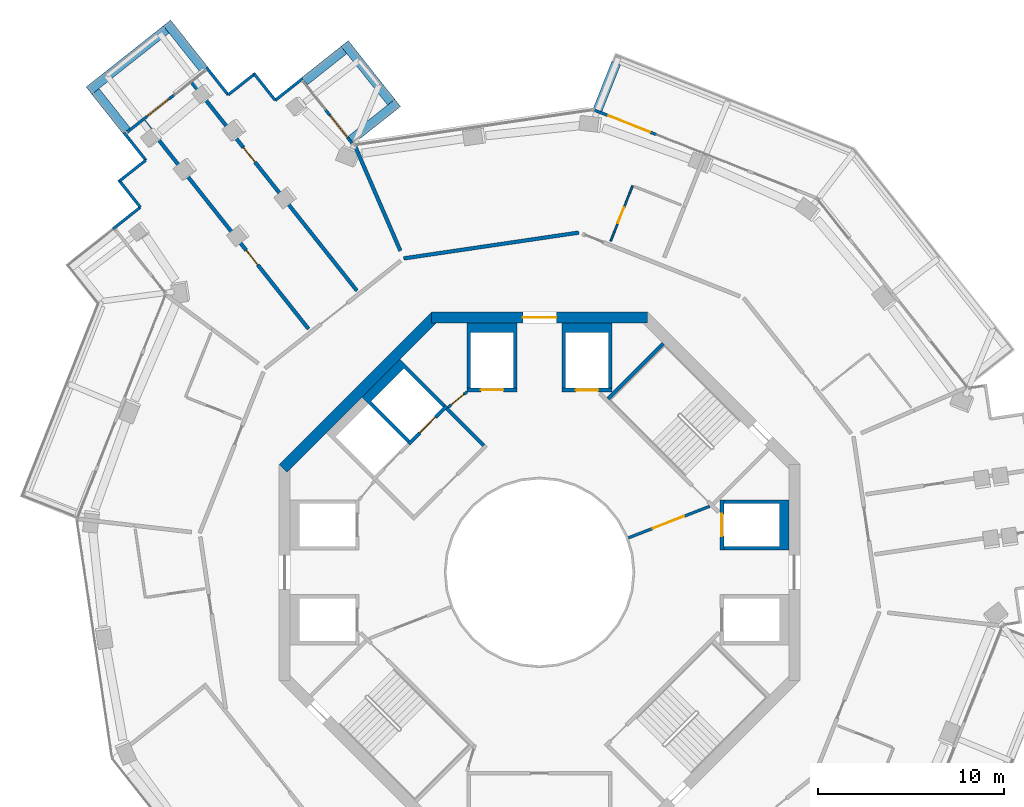
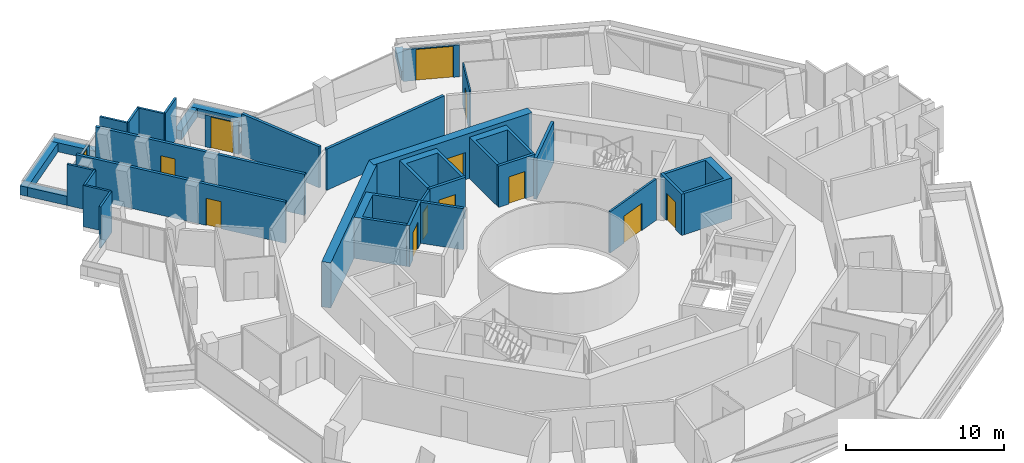
# One storey, part 17 of 21: 37 walls, 13 doors, 13 openings.
"""IFC4 building model written with IfcOpenShell, lengths in metres."""

from ifc_helpers import new_model, si_unit, direction, frame, frame_2d, origin, place, context, subcontext, project, spatial, polyline, rectangle, outline, extrude, material, layer, layer_set, type_object, element, fill, save


model = new_model("IFC4")

# Units and contexts
model_context = context("Model", 3, precision=1e-05, world=origin(), true_north=direction((0.0, 1.0)))
body_context = subcontext(model_context, "Body", "Model", "MODEL_VIEW")
ifc_project = project(units=[si_unit("LENGTHUNIT", "METRE"), si_unit("AREAUNIT", "SQUARE_METRE"), si_unit("VOLUMEUNIT", "CUBIC_METRE"), si_unit("PLANEANGLEUNIT", "RADIAN"), si_unit("MASSUNIT", "GRAM", prefix="KILO")], contexts=[model_context])

# Site, building, storey
site_placement = place(None, origin())
site = spatial("IfcSite", under=ifc_project, at=site_placement, CompositionType="ELEMENT")
building_placement = place(site_placement, origin())
building = spatial("IfcBuilding", under=site, at=building_placement, Name="Verdalira Terraces Hotel", CompositionType="ELEMENT")
storey_placement = place(building_placement, frame((0.0, 0.0, 190.5)))
storey = spatial("IfcBuildingStorey", under=building, at=storey_placement, Name="L46", CompositionType="ELEMENT", Elevation=190.5)

# Walls
ifc_material_1 = material(Name="Concrete C40", Category="concrete")
ifc_layer_1 = layer(ifc_material_1, 0.5)
ifc_layer_set_1 = layer_set([ifc_layer_1], Name="Balcony planter trough with tree")
wall_type_1 = type_object("IfcWallType", Name="Balcony planter trough with tree", PredefinedType="SOLIDWALL", material=ifc_layer_set_1)
wall_1_placement = place(storey_placement, frame((-18.038086, 27.024902, 0.0), z_axis=(0.0, 0.0, 1.0), x_axis=(-0.621142666, 0.783697511, 0.0)))
element("IfcWall", 1, at=wall_1_placement, inside=storey, type_object=wall_type_1, Name="Balcony planter", PredefinedType="SOLIDWALL", context=body_context, shape_type="SweptSolid", body=[
    extrude(rectangle(XDim=3.198975, YDim=0.5, at=frame_2d((1.599609, 0.0))), origin(), (0.0, 0.0, 1.0), 0.699951),
])
wall_2_placement = place(storey_placement, frame((-20.065918, 29.180664, 0.0), z_axis=(0.0, 0.0, 1.0), x_axis=(-0.783701028, -0.621138228, 0.0)))
element("IfcWall", 2, at=wall_2_placement, inside=storey, type_object=wall_type_1, Name="Balcony planter", PredefinedType="SOLIDWALL", context=body_context, shape_type="SweptSolid", body=[
    extrude(rectangle(XDim=5.300049, YDim=0.5, at=frame_2d((2.649902, 0.0))), origin(), (0.0, 0.0, 1.0), 0.699951),
])
for number, where, z_axis, x_axis, name in (
    (3, (-23.868164, 25.8479, 0.0), (0.0, 0.0, 1.0), (0.621092122, -0.783737568, 0.0), "Balcony planter"),
    (4, (4.113037, 27.365967, 0.0), (0.0, 0.0, 1.0), (-0.36814457, -0.92976856, 0.0), "Balcony planter"),
):
    element("IfcWall", number, at=place(storey_placement, frame(where, z_axis=z_axis, x_axis=x_axis)), inside=storey, type_object=wall_type_1, Name=name, PredefinedType="SOLIDWALL", context=body_context, shape_type="SweptSolid", body=[
        extrude(rectangle(XDim=2.698975, YDim=0.5, at=frame_2d((1.349609, 0.0))), origin(), (0.0, 0.0, 1.0), 0.699951),
    ])
wall_3_placement = place(storey_placement, frame((-10.128418, 23.245117, 0.0), z_axis=(0.0, 0.0, 1.0), x_axis=(0.783668064, 0.621179818, 0.0)))
element("IfcWall", 5, at=wall_3_placement, inside=storey, type_object=wall_type_1, Name="Balcony planter", PredefinedType="SOLIDWALL", context=body_context, shape_type="SweptSolid", body=[
    extrude(rectangle(XDim=3.19873, YDim=0.5, at=frame_2d((1.599365, 0.0))), origin(), (0.0, 0.0, 1.0), 0.699951),
])
wall_4_placement = place(storey_placement, frame((-7.972656, 25.272705, 0.0), z_axis=(0.0, 0.0, 1.0), x_axis=(-0.62115968, 0.783684026, 0.0)))
element("IfcWall", 6, at=wall_4_placement, inside=storey, type_object=wall_type_1, Name="Balcony planter", PredefinedType="SOLIDWALL", context=body_context, shape_type="SweptSolid", body=[
    extrude(rectangle(XDim=4.024414, YDim=0.5, at=frame_2d((2.012207, 0.0))), origin(), (0.0, 0.0, 1.0), 0.699951),
])
wall_5_placement = place(storey_placement, frame((-10.512939, 28.075439, 0.0), z_axis=(0.0, 0.0, 1.0), x_axis=(-0.783693536, -0.621147681, 0.0)))
element("IfcWall", 7, at=wall_5_placement, inside=storey, type_object=wall_type_1, Name="Balcony planter", PredefinedType="SOLIDWALL", context=body_context, shape_type="SweptSolid", body=[
    extrude(rectangle(XDim=2.698975, YDim=0.5, at=frame_2d((1.349609, 0.0))), origin(), (0.0, 0.0, 1.0), 0.699951),
])

# Wall, opening, door
ifc_material_2 = material(Name="Moisture-resistant gypsum board partition")
ifc_layer_2 = layer(ifc_material_2, 0.10009765625)
ifc_layer_set_2 = layer_set([ifc_layer_2], Name="Bathroom partition 100 mm")
wall_type_2 = type_object("IfcWallType", Name="Bathroom partition 100 mm", PredefinedType="PARTITIONING", material=ifc_layer_set_2)
wall_6_placement = place(storey_placement, frame((4.999512, 20.776855, 0.0), z_axis=(0.0, 0.0, 1.0), x_axis=(-0.368113034, -0.929781046, 0.0)))
wall_6 = element("IfcWall", 8, at=wall_6_placement, inside=storey, type_object=wall_type_2, Name="Bathroom partition", PredefinedType="PARTITIONING", context=body_context, shape_type="SweptSolid", body=[
    extrude(rectangle(XDim=3.199951, YDim=0.100098, at=frame_2d((1.600098, 0.0))), origin(), (0.0, 0.0, 1.0), 3.189941),
])
opening_1_placement = place(wall_6_placement, frame((1.25, 0.0, 0.0)))
opening_1 = element("IfcOpeningElement", 9, at=opening_1_placement, cuts=wall_6, Name="Opening L46-124", PredefinedType="OPENING", context=body_context, shape_type="SweptSolid", body=[
    extrude(rectangle(XDim=0.899902, YDim=2.100098, at=frame_2d((0.449951, 1.050049))), frame((0.0, 0.060059, 0.0), z_axis=(0.0, -1.0, 0.0), x_axis=(1.0, 0.0, 0.0)), (0.0, 0.0, 1.0), 0.120117),
])
ifc_material_3 = material(Name="Timber door", Category="wood")
door_type_1 = type_object("IfcDoorType", Name="Bathroom door 900 x 2100", OperationType="NOTDEFINED", PredefinedType="DOOR", material=ifc_material_3)
door_1_placement = place(opening_1_placement, origin())
door_1 = element("IfcDoor", 10, at=door_1_placement, inside=storey, type_object=door_type_1, Name="Bathroom door 4610", OperationType="SINGLE_SWING_LEFT", OverallHeight=2.10009765625, OverallWidth=0.89990234375, PredefinedType="DOOR", context=body_context, shape_type="SweptSolid", body=[
    extrude(rectangle(XDim=0.899902, YDim=2.100098, at=frame_2d((0.449951, 1.050049))), frame((0.0, 0.024902, 0.0), z_axis=(0.0, -1.0, 0.0), x_axis=(1.0, 0.0, 0.0)), (0.0, 0.0, 1.0), 0.050049),
])
fill(opening_1, door_1)

# Wall
ifc_material_4 = material(Name="Concrete C50", Category="concrete")
ifc_layer_3 = layer(ifc_material_4, 0.199951171875)
ifc_layer_set_3 = layer_set([ifc_layer_3], Name="Core RC wall 200 C50")
wall_type_3 = type_object("IfcWallType", Name="Core RC wall 200 C50", PredefinedType="SOLIDWALL", material=ifc_layer_set_3)
wall_7_placement = place(storey_placement, origin())
element("IfcWall", 11, at=wall_7_placement, inside=storey, type_object=wall_type_3, Name="L46 shaft wall E2", PredefinedType="SOLIDWALL", context=body_context, shape_type="SweptSolid", body=[
    extrude(outline(polyline([(13.399902, 3.899902), (13.399902, 1.199951), (9.899902, 1.199951), (9.899902, 1.399902), (12.899902, 1.399902), (12.899902, 3.699951), (9.899902, 3.699951), (9.899902, 3.899902), (13.399902, 3.899902)])), origin(), (0.0, 0.0, 1.0), 3.189941),
])

# Wall, opening, door
wall_8_placement = place(storey_placement, frame((9.800049, 1.199951, 0.0), z_axis=(0.0, 0.0, 1.0), x_axis=(0.0, 1.0, 0.0)))
wall_8 = element("IfcWall", 12, at=wall_8_placement, inside=storey, type_object=wall_type_3, Name="L46 shaft front wall E2", PredefinedType="SOLIDWALL", context=body_context, shape_type="SweptSolid", body=[
    extrude(rectangle(XDim=2.699951, YDim=0.199951, at=frame_2d((1.350098, 0.0))), origin(), (0.0, 0.0, 1.0), 3.189941),
])
opening_2_placement = place(wall_8_placement, frame((0.75, 0.0, 0.0)))
opening_2 = element("IfcOpeningElement", 13, at=opening_2_placement, cuts=wall_8, Name="Opening LD-L46-803", PredefinedType="OPENING", context=body_context, shape_type="SweptSolid", body=[
    extrude(rectangle(XDim=1.199951, YDim=2.100098, at=frame_2d((0.600098, 1.050049))), frame((0.0, 0.109863, 0.0), z_axis=(0.0, -1.0, 0.0), x_axis=(1.0, 0.0, 0.0)), (0.0, 0.0, 1.0), 0.219971),
])
ifc_material_5 = material(Name="Stainless steel", Category="steel")
door_type_2 = type_object("IfcDoorType", Name="Landing door 1200 x 2100", OperationType="NOTDEFINED", PredefinedType="DOOR", material=ifc_material_5)
door_2_placement = place(opening_2_placement, origin())
door_2 = element("IfcDoor", 14, at=door_2_placement, inside=storey, type_object=door_type_2, Name="Lift landing door HR2 L46", OperationType="DOUBLE_DOOR_SLIDING", OverallHeight=2.10009765625, OverallWidth=1.199951171875, PredefinedType="DOOR", context=body_context, shape_type="SweptSolid", body=[
    extrude(rectangle(XDim=1.199951, YDim=2.100098, at=frame_2d((0.600098, 1.050049))), frame((0.0, 0.024902, 0.0), z_axis=(0.0, -1.0, 0.0), x_axis=(1.0, 0.0, 0.0)), (0.0, 0.0, 1.0), 0.050049),
])
fill(opening_2, door_2)

# Wall
wall_9_placement = place(storey_placement, origin())
element("IfcWall", 15, at=wall_9_placement, inside=storey, type_object=wall_type_3, Name="L46 shaft wall N1", PredefinedType="SOLIDWALL", context=body_context, shape_type="SweptSolid", body=[
    extrude(outline(polyline([(3.899902, 9.899902), (3.699951, 9.899902), (3.699951, 12.899902), (1.399902, 12.899902), (1.399902, 9.899902), (1.199951, 9.899902), (1.199951, 13.399902), (3.899902, 13.399902), (3.899902, 9.899902)])), origin(), (0.0, 0.0, 1.0), 3.189941),
])

# Wall, opening, door
wall_10_placement = place(storey_placement, frame((1.199951, 9.800049, 0.0), z_axis=(0.0, 0.0, 1.0), x_axis=(1.0, 0.0, 0.0)))
wall_10 = element("IfcWall", 16, at=wall_10_placement, inside=storey, type_object=wall_type_3, Name="L46 shaft front wall N1", PredefinedType="SOLIDWALL", context=body_context, shape_type="SweptSolid", body=[
    extrude(rectangle(XDim=2.699951, YDim=0.199951, at=frame_2d((1.350098, 0.0))), origin(), (0.0, 0.0, 1.0), 3.189941),
])
opening_3_placement = place(wall_10_placement, frame((0.75, 0.0, 0.0)))
opening_3 = element("IfcOpeningElement", 17, at=opening_3_placement, cuts=wall_10, Name="Opening LD-L46-804", PredefinedType="OPENING", context=body_context, shape_type="SweptSolid", body=[
    extrude(rectangle(XDim=1.199951, YDim=2.100098, at=frame_2d((0.600098, 1.050049))), frame((0.0, 0.109863, 0.0), z_axis=(0.0, -1.0, 0.0), x_axis=(1.0, 0.0, 0.0)), (0.0, 0.0, 1.0), 0.219971),
])
door_3_placement = place(opening_3_placement, origin())
door_3 = element("IfcDoor", 18, at=door_3_placement, inside=storey, type_object=door_type_2, Name="Lift landing door HR3 L46", OperationType="DOUBLE_DOOR_SLIDING", OverallHeight=2.10009765625, OverallWidth=1.199951171875, PredefinedType="DOOR", context=body_context, shape_type="SweptSolid", body=[
    extrude(rectangle(XDim=1.199951, YDim=2.100098, at=frame_2d((0.600098, 1.050049))), frame((0.0, 0.024902, 0.0), z_axis=(0.0, -1.0, 0.0), x_axis=(1.0, 0.0, 0.0)), (0.0, 0.0, 1.0), 0.050049),
])
fill(opening_3, door_3)

# Wall
wall_11_placement = place(storey_placement, origin())
element("IfcWall", 19, at=wall_11_placement, inside=storey, type_object=wall_type_3, Name="L46 shaft wall N2", PredefinedType="SOLIDWALL", context=body_context, shape_type="SweptSolid", body=[
    extrude(outline(polyline([(-3.899902, 13.399902), (-1.199951, 13.399902), (-1.199951, 9.899902), (-1.399902, 9.899902), (-1.399902, 12.899902), (-3.699951, 12.899902), (-3.699951, 9.899902), (-3.899902, 9.899902), (-3.899902, 13.399902)])), origin(), (0.0, 0.0, 1.0), 3.189941),
])

# Wall, opening, door
wall_12_placement = place(storey_placement, frame((-1.199951, 9.800049, 0.0), z_axis=(0.0, 0.0, 1.0), x_axis=(-1.0, 0.0, 0.0)))
wall_12 = element("IfcWall", 20, at=wall_12_placement, inside=storey, type_object=wall_type_3, Name="L46 shaft front wall N2", PredefinedType="SOLIDWALL", context=body_context, shape_type="SweptSolid", body=[
    extrude(rectangle(XDim=2.699951, YDim=0.199951, at=frame_2d((1.350098, 0.0))), origin(), (0.0, 0.0, 1.0), 3.189941),
])
opening_4_placement = place(wall_12_placement, frame((0.75, 0.0, 0.0)))
opening_4 = element("IfcOpeningElement", 21, at=opening_4_placement, cuts=wall_12, Name="Opening LD-L46-805", PredefinedType="OPENING", context=body_context, shape_type="SweptSolid", body=[
    extrude(rectangle(XDim=1.199951, YDim=2.100098, at=frame_2d((0.600098, 1.050049))), frame((0.0, 0.109863, 0.0), z_axis=(0.0, -1.0, 0.0), x_axis=(1.0, 0.0, 0.0)), (0.0, 0.0, 1.0), 0.219971),
])
door_4_placement = place(opening_4_placement, origin())
door_4 = element("IfcDoor", 22, at=door_4_placement, inside=storey, type_object=door_type_2, Name="Lift landing door HR4 L46", OperationType="DOUBLE_DOOR_SLIDING", OverallHeight=2.10009765625, OverallWidth=1.199951171875, PredefinedType="DOOR", context=body_context, shape_type="SweptSolid", body=[
    extrude(rectangle(XDim=1.199951, YDim=2.100098, at=frame_2d((0.600098, 1.050049))), frame((0.0, 0.024902, 0.0), z_axis=(0.0, -1.0, 0.0), x_axis=(1.0, 0.0, 0.0)), (0.0, 0.0, 1.0), 0.050049),
])
fill(opening_4, door_4)

# Wall
wall_13_placement = place(storey_placement, origin())
element("IfcWall", 23, at=wall_13_placement, inside=storey, type_object=wall_type_3, Name="L46 shaft wall F1", PredefinedType="SOLIDWALL", context=body_context, shape_type="SweptSolid", body=[
    extrude(outline(polyline([(-9.545898, 9.404541), (-7.495361, 11.455078), (-5.055908, 9.015625), (-5.197266, 8.874268), (-7.283203, 10.960205), (-9.051025, 9.192383), (-6.965088, 7.106445), (-7.106445, 6.965088), (-9.545898, 9.404541)])), origin(), (0.0, 0.0, 1.0), 3.189941),
])

# Wall, opening, door
wall_14_placement = place(storey_placement, frame((-4.985107, 8.944824, 0.0), z_axis=(0.0, 0.0, 1.0), x_axis=(-0.707106781, -0.707106781, 0.0)))
wall_14 = element("IfcWall", 24, at=wall_14_placement, inside=storey, type_object=wall_type_3, Name="L46 shaft front wall F1", PredefinedType="SOLIDWALL", context=body_context, shape_type="SweptSolid", body=[
    extrude(rectangle(XDim=2.899902, YDim=0.199951, at=frame_2d((1.449951, 0.0))), origin(), (0.0, 0.0, 1.0), 3.189941),
])
opening_5_placement = place(wall_14_placement, frame((0.850098, 0.0, 0.0)))
opening_5 = element("IfcOpeningElement", 25, at=opening_5_placement, cuts=wall_14, Name="Opening LD-L46-808", PredefinedType="OPENING", context=body_context, shape_type="SweptSolid", body=[
    extrude(rectangle(XDim=1.199951, YDim=2.100098, at=frame_2d((0.600098, 1.050049))), frame((0.0, 0.109863, 0.0), z_axis=(0.0, -1.0, 0.0), x_axis=(1.0, 0.0, 0.0)), (0.0, 0.0, 1.0), 0.219971),
])
door_5_placement = place(opening_5_placement, origin())
door_5 = element("IfcDoor", 26, at=door_5_placement, inside=storey, type_object=door_type_2, Name="Lift landing door LF11 L46", OperationType="DOUBLE_DOOR_SLIDING", OverallHeight=2.10009765625, OverallWidth=1.199951171875, PredefinedType="DOOR", context=body_context, shape_type="SweptSolid", body=[
    extrude(rectangle(XDim=1.199951, YDim=2.100098, at=frame_2d((0.600098, 1.050049))), frame((0.0, 0.024902, 0.0), z_axis=(0.0, -1.0, 0.0), x_axis=(1.0, 0.0, 0.0)), (0.0, 0.0, 1.0), 0.050049),
])
fill(opening_5, door_5)

# Walls
wall_15_placement = place(storey_placement, frame((3.677002, 9.33374, 0.0), z_axis=(0.0, 0.0, 1.0), x_axis=(0.707077716, 0.707135845, 0.0)))
element("IfcWall", 27, at=wall_15_placement, inside=storey, type_object=wall_type_3, Name="L46 stair ST1 end wall 2", PredefinedType="SOLIDWALL", context=body_context, shape_type="SweptSolid", body=[
    extrude(rectangle(XDim=4.199951, YDim=0.199951, at=frame_2d((2.100098, 0.0))), origin(), (0.0, 0.0, 1.0), 3.189941),
])
wall_16_placement = place(storey_placement, frame((-3.005127, 6.823486, 0.0), z_axis=(0.0, 0.0, 1.0), x_axis=(-0.707106781, 0.707106781, 0.0)))
element("IfcWall", 28, at=wall_16_placement, inside=storey, type_object=wall_type_3, Name="L46 fire lobby wall", PredefinedType="SOLIDWALL", context=body_context, shape_type="SweptSolid", body=[
    extrude(rectangle(XDim=2.800049, YDim=0.199951, at=frame_2d((1.399902, 0.0))), origin(), (0.0, 0.0, 1.0), 3.189941),
])

# Wall, opening, door
ifc_material_6 = material(Name="Gypsum board partition")
ifc_layer_4 = layer(ifc_material_6, 0.14990234375)
ifc_layer_set_4 = layer_set([ifc_layer_4], Name="Core partition 150 mm")
wall_type_4 = type_object("IfcWallType", Name="Core partition 150 mm", PredefinedType="PARTITIONING", material=ifc_layer_set_4)
wall_17_placement = place(storey_placement, frame((-3.899902, 9.699951, 0.0), z_axis=(0.0, 0.0, 1.0), x_axis=(-0.775559878, -0.631274009, 0.0)))
wall_17 = element("IfcWall", 29, at=wall_17_placement, inside=storey, type_object=wall_type_4, Name="Room partition L46", PredefinedType="PARTITIONING", context=body_context, shape_type="SweptSolid", body=[
    extrude(rectangle(XDim=1.307861, YDim=0.149902, at=frame_2d((0.653809, 0.0))), origin(), (0.0, 0.0, 1.0), 3.189941),
])
opening_6_placement = place(wall_17_placement, frame((0.204102, 0.0, 0.0)))
opening_6 = element("IfcOpeningElement", 30, at=opening_6_placement, cuts=wall_17, Name="Opening L46-820", PredefinedType="OPENING", context=body_context, shape_type="SweptSolid", body=[
    extrude(rectangle(XDim=0.899902, YDim=2.100098, at=frame_2d((0.449951, 1.050049))), frame((0.0, 0.084961, 0.0), z_axis=(0.0, -1.0, 0.0), x_axis=(1.0, 0.0, 0.0)), (0.0, 0.0, 1.0), 0.169922),
])
ifc_material_7 = material(Name="Steel fire door", Category="steel")
door_type_3 = type_object("IfcDoorType", Name="Core room door 900 x 2100", OperationType="NOTDEFINED", PredefinedType="DOOR", material=ifc_material_7)
door_6_placement = place(opening_6_placement, origin())
door_6 = element("IfcDoor", 31, at=door_6_placement, inside=storey, type_object=door_type_3, Name="Door L46 room2", OperationType="SINGLE_SWING_LEFT", OverallHeight=2.10009765625, OverallWidth=0.89990234375, PredefinedType="DOOR", context=body_context, shape_type="SweptSolid", body=[
    extrude(rectangle(XDim=0.899902, YDim=2.100098, at=frame_2d((0.449951, 1.050049))), frame((0.0, 0.024902, 0.0), z_axis=(0.0, -1.0, 0.0), x_axis=(1.0, 0.0, 0.0)), (0.0, 0.0, 1.0), 0.050049),
])
fill(opening_6, door_6)

wall_18_placement = place(storey_placement, frame((4.781982, 1.857178, 0.0), z_axis=(0.0, 0.0, 1.0), x_axis=(0.932157474, 0.362053096, 0.0)))
wall_18 = element("IfcWall", 32, at=wall_18_placement, inside=storey, type_object=wall_type_4, Name="Gallery fire partition L46", PredefinedType="PARTITIONING", context=body_context, shape_type="SweptSolid", body=[
    extrude(rectangle(XDim=4.675049, YDim=0.149902, at=frame_2d((2.337402, 0.0))), origin(), (0.0, 0.0, 1.0), 3.189941),
])
opening_7_placement = place(wall_18_placement, frame((1.399902, 0.0, 0.0)))
opening_7 = element("IfcOpeningElement", 33, at=opening_7_placement, cuts=wall_18, Name="Opening L46-823", PredefinedType="OPENING", context=body_context, shape_type="SweptSolid", body=[
    extrude(rectangle(XDim=1.800049, YDim=2.100098, at=frame_2d((0.899902, 1.050049))), frame((0.0, 0.084961, 0.0), z_axis=(0.0, -1.0, 0.0), x_axis=(1.0, 0.0, 0.0)), (0.0, 0.0, 1.0), 0.169922),
])
ifc_material_8 = material(Name="Steel fire door", Category="steel")
door_type_4 = type_object("IfcDoorType", Name="Gallery fire door pair 1800 x 2100", OperationType="NOTDEFINED", PredefinedType="DOOR", material=ifc_material_8)
door_7_placement = place(opening_7_placement, origin())
door_7 = element("IfcDoor", 34, at=door_7_placement, inside=storey, type_object=door_type_4, Name="Door L46 split0", OperationType="DOUBLE_DOOR_SINGLE_SWING", OverallHeight=2.10009765625, OverallWidth=1.800048828125, PredefinedType="DOOR", context=body_context, shape_type="SweptSolid", body=[
    extrude(rectangle(XDim=1.800049, YDim=2.100098, at=frame_2d((0.899902, 1.050049))), frame((0.0, 0.024902, 0.0), z_axis=(0.0, -1.0, 0.0), x_axis=(1.0, 0.0, 0.0)), (0.0, 0.0, 1.0), 0.050049),
])
fill(opening_7, door_7)

ifc_material_9 = material(Name="Concrete C60", Category="concrete")
ifc_layer_5 = layer(ifc_material_9, 0.60009765625)
ifc_layer_set_5 = layer_set([ifc_layer_5], Name="Core wall 600 C60")
wall_type_5 = type_object("IfcWallType", Name="Core wall 600 C60", PredefinedType="SHEAR", material=ifc_layer_set_5)
wall_19_placement = place(storey_placement, frame((5.799072, 13.699951, 0.0), z_axis=(0.0, 0.0, 1.0), x_axis=(-1.0, 0.0, 0.0)))
wall_19 = element("IfcWall", 35, at=wall_19_placement, inside=storey, type_object=wall_type_5, Name="Core wall CW-L46-3", PredefinedType="SHEAR", context=body_context, shape_type="SweptSolid", body=[
    extrude(rectangle(XDim=11.598145, YDim=0.600098, at=frame_2d((5.799072, 0.0))), origin(), (0.0, 0.0, 1.0), 3.5),
])
opening_8_placement = place(wall_19_placement, frame((4.898926, 0.0, 0.0)))
opening_8 = element("IfcOpeningElement", 36, at=opening_8_placement, cuts=wall_19, Name="Opening L46-814", PredefinedType="OPENING", context=body_context, shape_type="SweptSolid", body=[
    extrude(rectangle(XDim=1.800049, YDim=2.100098, at=frame_2d((0.899902, 1.050049))), frame((0.0, 0.310059, 0.0), z_axis=(0.0, -1.0, 0.0), x_axis=(1.0, 0.0, 0.0)), (0.0, 0.0, 1.0), 0.620117),
])
ifc_material_10 = material(Name="Steel fire door", Category="steel")
door_type_5 = type_object("IfcDoorType", Name="Core entry door pair 1800 x 2100", OperationType="NOTDEFINED", PredefinedType="DOOR", material=ifc_material_10)
door_8_placement = place(opening_8_placement, origin())
door_8 = element("IfcDoor", 37, at=door_8_placement, inside=storey, type_object=door_type_5, Name="Core entry door L46 2", OperationType="DOUBLE_DOOR_SINGLE_SWING", OverallHeight=2.10009765625, OverallWidth=1.800048828125, PredefinedType="DOOR", context=body_context, shape_type="SweptSolid", body=[
    extrude(rectangle(XDim=1.800049, YDim=2.100098, at=frame_2d((0.899902, 1.050049))), frame((0.0, 0.024902, 0.0), z_axis=(0.0, -1.0, 0.0), x_axis=(1.0, 0.0, 0.0)), (0.0, 0.0, 1.0), 0.050049),
])
fill(opening_8, door_8)

# Wall
wall_20_placement = place(storey_placement, frame((-5.586914, 13.787842, 0.0), z_axis=(0.0, 0.0, 1.0), x_axis=(-0.707106781, -0.707106781, 0.0)))
element("IfcWall", 38, at=wall_20_placement, inside=storey, type_object=wall_type_5, Name="Core wall CW-L46-4", PredefinedType="SHEAR", context=body_context, shape_type="SweptSolid", body=[
    extrude(rectangle(XDim=11.5979, YDim=0.600098, at=frame_2d((5.798828, 0.0))), origin(), (0.0, 0.0, 1.0), 3.5),
])

# Wall, opening, door
ifc_material_11 = material(Name="Fire-rated gypsum board wall")
ifc_layer_6 = layer(ifc_material_11, 0.199951171875)
ifc_layer_set_6 = layer_set([ifc_layer_6], Name="Demising wall 200 mm")
wall_type_6 = type_object("IfcWallType", Name="Demising wall 200 mm", PredefinedType="SOLIDWALL", material=ifc_layer_set_6)
wall_21_placement = place(storey_placement, frame((-12.411133, 13.077881, 0.0), z_axis=(0.0, 0.0, 1.0), x_axis=(-0.62114487, 0.783695764, 0.0)))
wall_21 = element("IfcWall", 39, at=wall_21_placement, inside=storey, type_object=wall_type_6, Name="Demising wall", PredefinedType="SOLIDWALL", context=body_context, shape_type="SweptSolid", body=[
    extrude(rectangle(XDim=14.274414, YDim=0.199951, at=frame_2d((7.137207, 0.0))), origin(), (0.0, 0.0, 1.0), 3.189941),
])
opening_9_placement = place(wall_21_placement, frame((4.399902, 0.0, 0.0)))
opening_9 = element("IfcOpeningElement", 40, at=opening_9_placement, cuts=wall_21, Name="Opening L46-103", PredefinedType="OPENING", context=body_context, shape_type="SweptSolid", body=[
    extrude(rectangle(XDim=1.0, YDim=2.100098, at=frame_2d((0.5, 1.050049))), frame((0.0, 0.109863, 0.0), z_axis=(0.0, -1.0, 0.0), x_axis=(1.0, 0.0, 0.0)), (0.0, 0.0, 1.0), 0.219971),
])
ifc_material_12 = material(Name="Timber fire door", Category="wood")
door_type_6 = type_object("IfcDoorType", Name="Public room door 1000 x 2100", OperationType="NOTDEFINED", PredefinedType="DOOR", material=ifc_material_12)
door_9_placement = place(opening_9_placement, origin())
door_9 = element("IfcDoor", 41, at=door_9_placement, inside=storey, type_object=door_type_6, Name="Public room door 4601", OperationType="SINGLE_SWING_LEFT", OverallHeight=2.10009765625, OverallWidth=1.0, PredefinedType="DOOR", context=body_context, shape_type="SweptSolid", body=[
    extrude(rectangle(XDim=1.0, YDim=2.100098, at=frame_2d((0.5, 1.050049))), frame((0.0, 0.024902, 0.0), z_axis=(0.0, -1.0, 0.0), x_axis=(1.0, 0.0, 0.0)), (0.0, 0.0, 1.0), 0.050049),
])
fill(opening_9, door_9)

wall_22_placement = place(storey_placement, frame((-18.680908, 26.322754, 0.0), z_axis=(0.0, 0.0, 1.0), x_axis=(0.621153195, -0.783689165, 0.0)))
wall_22 = element("IfcWall", 42, at=wall_22_placement, inside=storey, type_object=wall_type_6, Name="Demising wall", PredefinedType="SOLIDWALL", context=body_context, shape_type="SweptSolid", body=[
    extrude(rectangle(XDim=14.27417, YDim=0.199951, at=frame_2d((7.137207, 0.0))), origin(), (0.0, 0.0, 1.0), 3.189941),
])
opening_10_placement = place(wall_22_placement, frame((4.449951, 0.0, 0.0)))
opening_10 = element("IfcOpeningElement", 43, at=opening_10_placement, cuts=wall_22, Name="Opening L46-102", PredefinedType="OPENING", context=body_context, shape_type="SweptSolid", body=[
    extrude(rectangle(XDim=1.0, YDim=2.100098, at=frame_2d((0.5, 1.050049))), frame((0.0, 0.109863, 0.0), z_axis=(0.0, -1.0, 0.0), x_axis=(1.0, 0.0, 0.0)), (0.0, 0.0, 1.0), 0.219971),
])
door_10_placement = place(opening_10_placement, origin())
door_10 = element("IfcDoor", 44, at=door_10_placement, inside=storey, type_object=door_type_6, Name="Public room door 4601", OperationType="SINGLE_SWING_LEFT", OverallHeight=2.10009765625, OverallWidth=1.0, PredefinedType="DOOR", context=body_context, shape_type="SweptSolid", body=[
    extrude(rectangle(XDim=1.0, YDim=2.100098, at=frame_2d((0.5, 1.050049))), frame((0.0, 0.024902, 0.0), z_axis=(0.0, -1.0, 0.0), x_axis=(1.0, 0.0, 0.0)), (0.0, 0.0, 1.0), 0.050049),
])
fill(opening_10, door_10)

# Walls
wall_23_placement = place(storey_placement, frame((-9.914307, 22.910889, 0.0), z_axis=(0.0, 0.0, 1.0), x_axis=(0.397145931, -0.917755474, 0.0)))
element("IfcWall", 45, at=wall_23_placement, inside=storey, type_object=wall_type_6, Name="Demising wall", PredefinedType="SOLIDWALL", context=body_context, shape_type="SweptSolid", body=[
    extrude(rectangle(XDim=6.13208, YDim=0.199951, at=frame_2d((3.065918, 0.0))), origin(), (0.0, 0.0, 1.0), 3.189941),
])
ifc_material_13 = material(Name="Fire-rated gypsum board wall")
ifc_layer_7 = layer(ifc_material_13, 0.199951171875)
ifc_layer_set_7 = layer_set([ifc_layer_7], Name="Guest corridor wall 200 mm")
wall_type_7 = type_object("IfcWallType", Name="Guest corridor wall 200 mm", PredefinedType="SOLIDWALL", material=ifc_layer_set_7)
wall_24_placement = place(storey_placement, frame((2.112549, 18.262939, 0.0), z_axis=(0.0, 0.0, 1.0), x_axis=(-0.989272501, -0.146081889, 0.0)))
element("IfcWall", 46, at=wall_24_placement, inside=storey, type_object=wall_type_7, Name="Guest corridor wall", PredefinedType="SOLIDWALL", context=body_context, shape_type="SweptSolid", body=[
    extrude(rectangle(XDim=9.516113, YDim=0.199951, at=frame_2d((4.758057, 0.0))), origin(), (0.0, 0.0, 1.0), 3.189941),
])
ifc_material_14 = material(Name="Terracotta cladding", Category="masonry")
ifc_layer_8 = layer(ifc_material_14, 0.14990234375)
ifc_layer_set_8 = layer_set([ifc_layer_8], Name="Terracotta clad wall 150")
wall_type_8 = type_object("IfcWallType", Name="Terracotta clad wall 150", PredefinedType="SOLIDWALL", material=ifc_layer_set_8)
wall_25_placement = place(storey_placement, frame((-12.737549, 26.5354, 0.0), z_axis=(0.0, 0.0, 1.0), x_axis=(-0.783731526, -0.621099747, 0.0)))
element("IfcWall", 47, at=wall_25_placement, inside=storey, type_object=wall_type_8, Name="Terracotta cladding wall", PredefinedType="SOLIDWALL", context=body_context, shape_type="SweptSolid", body=[
    extrude(rectangle(XDim=1.875, YDim=0.149902, at=frame_2d((0.9375, 0.0))), origin(), (0.0, 0.0, 1.0), 3.189941),
])
wall_26_placement = place(storey_placement, frame((-14.207031, 25.37085, 0.0), z_axis=(0.0, 0.0, 1.0), x_axis=(-0.621182235, 0.783666147, 0.0)))
element("IfcWall", 48, at=wall_26_placement, inside=storey, type_object=wall_type_8, Name="Terracotta cladding wall", PredefinedType="SOLIDWALL", context=body_context, shape_type="SweptSolid", body=[
    extrude(rectangle(XDim=1.800049, YDim=0.149902, at=frame_2d((0.899902, 0.0))), origin(), (0.0, 0.0, 1.0), 3.189941),
])
for number, where, z_axis, x_axis, name in (
    (49, (-15.266357, 26.827881, 0.0), (0.0, 0.0, 1.0), (-0.783731526, -0.621099747, 0.0), "Terracotta cladding wall"),
    (50, (-16.73584, 25.66333, 0.0), (0.0, 0.0, 1.0), (-0.621099747, 0.783731526, 0.0), "Terracotta cladding wall"),
):
    element("IfcWall", number, at=place(storey_placement, frame(where, z_axis=z_axis, x_axis=x_axis)), inside=storey, type_object=wall_type_8, Name=name, PredefinedType="SOLIDWALL", context=body_context, shape_type="SweptSolid", body=[
        extrude(rectangle(XDim=1.875, YDim=0.149902, at=frame_2d((0.9375, 0.0))), origin(), (0.0, 0.0, 1.0), 3.189941),
    ])
wall_27_placement = place(storey_placement, frame((-22.328369, 23.623291, 0.0), z_axis=(0.0, 0.0, 1.0), x_axis=(0.621179717, -0.783668144, 0.0)))
element("IfcWall", 51, at=wall_27_placement, inside=storey, type_object=wall_type_8, Name="Terracotta cladding wall", PredefinedType="SOLIDWALL", context=body_context, shape_type="SweptSolid", body=[
    extrude(rectangle(XDim=1.875244, YDim=0.149902, at=frame_2d((0.9375, 0.0))), origin(), (0.0, 0.0, 1.0), 3.189941),
])
wall_28_placement = place(storey_placement, frame((-21.163574, 22.153809, 0.0), z_axis=(0.0, 0.0, 1.0), x_axis=(-0.783732173, -0.62109893, 0.0)))
element("IfcWall", 52, at=wall_28_placement, inside=storey, type_object=wall_type_8, Name="Terracotta cladding wall", PredefinedType="SOLIDWALL", context=body_context, shape_type="SweptSolid", body=[
    extrude(rectangle(XDim=1.799805, YDim=0.149902, at=frame_2d((0.899902, 0.0))), origin(), (0.0, 0.0, 1.0), 3.189941),
])
wall_29_placement = place(storey_placement, frame((-22.62085, 21.094482, 0.0), z_axis=(0.0, 0.0, 1.0), x_axis=(0.621163134, -0.783681288, 0.0)))
element("IfcWall", 53, at=wall_29_placement, inside=storey, type_object=wall_type_8, Name="Terracotta cladding wall", PredefinedType="SOLIDWALL", context=body_context, shape_type="SweptSolid", body=[
    extrude(rectangle(XDim=1.874756, YDim=0.149902, at=frame_2d((0.9375, 0.0))), origin(), (0.0, 0.0, 1.0), 3.189941),
])
wall_30_placement = place(storey_placement, frame((-21.456299, 19.625244, 0.0), z_axis=(0.0, 0.0, 1.0), x_axis=(-0.783668144, -0.621179717, 0.0)))
element("IfcWall", 54, at=wall_30_placement, inside=storey, type_object=wall_type_8, Name="Terracotta cladding wall", PredefinedType="SOLIDWALL", context=body_context, shape_type="SweptSolid", body=[
    extrude(rectangle(XDim=1.875244, YDim=0.149902, at=frame_2d((0.9375, 0.0))), origin(), (0.0, 0.0, 1.0), 3.189941),
])

# Wall, opening, door
ifc_material_15 = material(Name="Terracotta cladding", Category="masonry")
ifc_layer_9 = layer(ifc_material_15, 0.14990234375)
ifc_layer_set_9 = layer_set([ifc_layer_9], Name="Terracotta door pier 150")
wall_type_9 = type_object("IfcWallType", Name="Terracotta door pier 150", PredefinedType="SOLIDWALL", material=ifc_layer_set_9)
wall_31_placement = place(storey_placement, frame((-10.076172, 23.056885, 0.0), z_axis=(0.0, 0.0, 1.0), x_axis=(-0.621186043, 0.783663129, 0.0)))
wall_31 = element("IfcWall", 55, at=wall_31_placement, inside=storey, type_object=wall_type_9, Name="Terracotta door pier", PredefinedType="SOLIDWALL", context=body_context, shape_type="SweptSolid", body=[
    extrude(rectangle(XDim=2.303467, YDim=0.149902, at=frame_2d((1.151855, 0.0))), origin(), (0.0, 0.0, 1.0), 2.475098),
])
opening_11_placement = place(wall_31_placement, frame((0.403564, 0.0, 0.0)))
opening_11 = element("IfcOpeningElement", 56, at=opening_11_placement, cuts=wall_31, Name="Opening L46-B01", PredefinedType="OPENING", context=body_context, shape_type="SweptSolid", body=[
    extrude(rectangle(XDim=1.5, YDim=2.399902, at=frame_2d((0.75, 1.199951))), frame((0.0, 0.084961, 0.0), z_axis=(0.0, -1.0, 0.0), x_axis=(1.0, 0.0, 0.0)), (0.0, 0.0, 1.0), 0.169922),
])
ifc_material_16 = material(Name="Clear glass", Category="glass")
door_type_7 = type_object("IfcDoorType", Name="Balcony sliding door 1500x2400", OperationType="NOTDEFINED", PredefinedType="DOOR", material=ifc_material_16)
door_11_placement = place(opening_11_placement, origin())
door_11 = element("IfcDoor", 57, at=door_11_placement, inside=storey, type_object=door_type_7, Name="Balcony sliding door", OperationType="SLIDING_TO_LEFT", OverallHeight=2.39990234375, OverallWidth=1.5, PredefinedType="DOOR", context=body_context, shape_type="SweptSolid", body=[
    extrude(rectangle(XDim=1.5, YDim=2.399902, at=frame_2d((0.75, 1.199951))), frame((0.0, 0.024902, 0.0), z_axis=(0.0, -1.0, 0.0), x_axis=(1.0, 0.0, 0.0)), (0.0, 0.0, 1.0), 0.050049),
])
fill(opening_11, door_11)

wall_32_placement = place(storey_placement, frame((-19.605469, 25.685791, 0.0), z_axis=(0.0, 0.0, 1.0), x_axis=(-0.783681215, -0.621163226, 0.0)))
wall_32 = element("IfcWall", 58, at=wall_32_placement, inside=storey, type_object=wall_type_9, Name="Terracotta door pier", PredefinedType="SOLIDWALL", context=body_context, shape_type="SweptSolid", body=[
    extrude(rectangle(XDim=3.259766, YDim=0.149902, at=frame_2d((1.629883, 0.0))), origin(), (0.0, 0.0, 1.0), 2.475098),
])
opening_12_placement = place(wall_32_placement, frame((0.399902, 0.0, 0.0)))
opening_12 = element("IfcOpeningElement", 59, at=opening_12_placement, cuts=wall_32, Name="Opening L46-B02", PredefinedType="OPENING", context=body_context, shape_type="SweptSolid", body=[
    extrude(rectangle(XDim=1.5, YDim=2.399902, at=frame_2d((0.75, 1.199951))), frame((0.0, 0.084961, 0.0), z_axis=(0.0, -1.0, 0.0), x_axis=(1.0, 0.0, 0.0)), (0.0, 0.0, 1.0), 0.169922),
])
door_12_placement = place(opening_12_placement, origin())
door_12 = element("IfcDoor", 60, at=door_12_placement, inside=storey, type_object=door_type_7, Name="Balcony sliding door", OperationType="SLIDING_TO_RIGHT", OverallHeight=2.39990234375, OverallWidth=1.5, PredefinedType="DOOR", context=body_context, shape_type="SweptSolid", body=[
    extrude(rectangle(XDim=1.5, YDim=2.399902, at=frame_2d((0.75, 1.199951))), frame((0.0, 0.024902, 0.0), z_axis=(0.0, -1.0, 0.0), x_axis=(1.0, 0.0, 0.0)), (0.0, 0.0, 1.0), 0.050049),
])
fill(opening_12, door_12)

wall_33_placement = place(storey_placement, frame((6.307373, 23.512451, 0.0), z_axis=(0.0, 0.0, 1.0), x_axis=(-0.929758854, 0.368169081, 0.0)))
wall_33 = element("IfcWall", 61, at=wall_33_placement, inside=storey, type_object=wall_type_9, Name="Terracotta door pier", PredefinedType="SOLIDWALL", context=body_context, shape_type="SweptSolid", body=[
    extrude(rectangle(XDim=3.608643, YDim=0.149902, at=frame_2d((1.804199, 0.0))), origin(), (0.0, 0.0, 1.0), 2.475098),
])
opening_13_placement = place(wall_33_placement, frame((0.399902, 0.0, 0.0)))
opening_13 = element("IfcOpeningElement", 62, at=opening_13_placement, cuts=wall_33, Name="Opening L46-B14", PredefinedType="OPENING", context=body_context, shape_type="SweptSolid", body=[
    extrude(rectangle(XDim=2.399902, YDim=2.399902, at=frame_2d((1.199951, 1.199951))), frame((0.0, 0.084961, 0.0), z_axis=(0.0, -1.0, 0.0), x_axis=(1.0, 0.0, 0.0)), (0.0, 0.0, 1.0), 0.169922),
])
ifc_material_17 = material(Name="Clear glass", Category="glass")
door_type_8 = type_object("IfcDoorType", Name="Balcony sliding door 2400x2400", OperationType="NOTDEFINED", PredefinedType="DOOR", material=ifc_material_17)
door_13_placement = place(opening_13_placement, origin())
door_13 = element("IfcDoor", 63, at=door_13_placement, inside=storey, type_object=door_type_8, Name="Balcony sliding door", OperationType="SLIDING_TO_RIGHT", OverallHeight=2.39990234375, OverallWidth=2.39990234375, PredefinedType="DOOR", context=body_context, shape_type="SweptSolid", body=[
    extrude(rectangle(XDim=2.399902, YDim=2.399902, at=frame_2d((1.199951, 1.199951))), frame((0.0, 0.024902, 0.0), z_axis=(0.0, -1.0, 0.0), x_axis=(1.0, 0.0, 0.0)), (0.0, 0.0, 1.0), 0.050049),
])
fill(opening_13, door_13)

save(model, "model.ifc")
